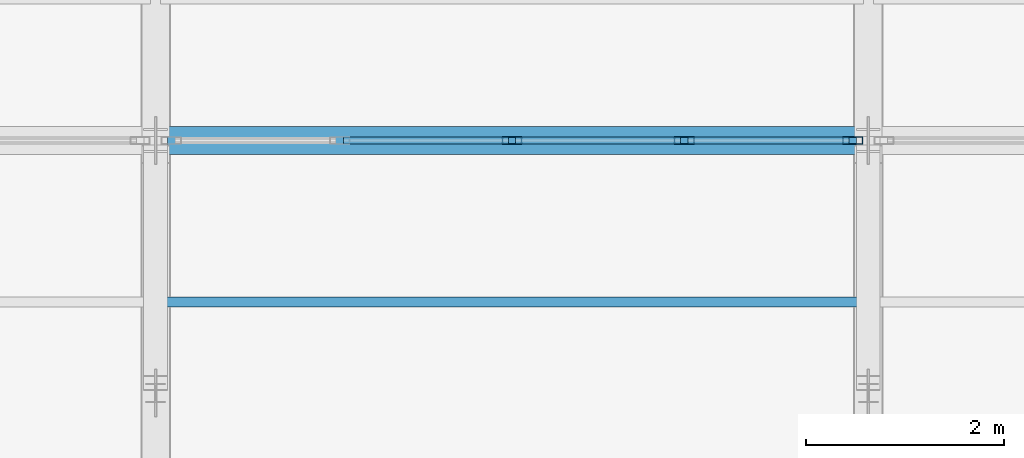
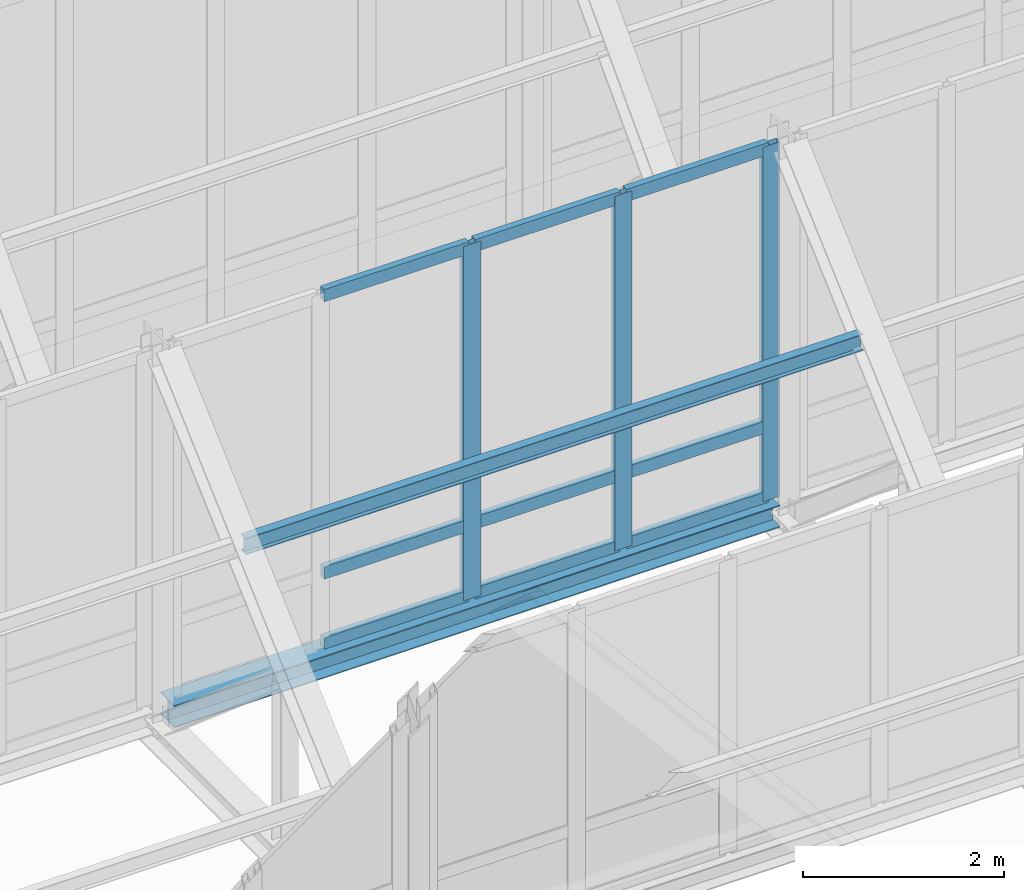
# One storey, part 46 of 157: 13 members, 1 beam, 1 element without a shape of its own.
"""IFC4 building model written with IfcOpenShell, lengths in metres."""

from ifc_helpers import new_model, si_unit, direction, frame, origin, origin_2d, place, context, subcontext, project, spatial, hollow_rectangle, i_section, extrude, material, material_profile, profile_set, type_object, element, aggregate, save


model = new_model("IFC4")

# Units and contexts
model_context = context("Model", 3, precision=1e-05, world=origin(), true_north=direction((0.0, 1.0)))
body_context = subcontext(model_context, "Body", "Model", "MODEL_VIEW")
ifc_project = project(units=[si_unit("LENGTHUNIT", "METRE"), si_unit("AREAUNIT", "SQUARE_METRE"), si_unit("VOLUMEUNIT", "CUBIC_METRE"), si_unit("PLANEANGLEUNIT", "RADIAN"), si_unit("MASSUNIT", "GRAM", prefix="KILO")], contexts=[model_context])

# Site, building, storey
site_placement = place(None, origin())
site = spatial("IfcSite", under=ifc_project, at=site_placement, CompositionType="ELEMENT")
building_placement = place(site_placement, origin())
building = spatial("IfcBuilding", under=site, at=building_placement, Name="Suanplinth Sawtooth Commons", CompositionType="ELEMENT")
storey_placement = place(building_placement, frame((0.0, 0.0, 9.0)))
storey = spatial("IfcBuildingStorey", under=building, at=storey_placement, Name="L02", CompositionType="ELEMENT", Elevation=9.0)

# Beam
ifc_material_1 = material(Name="Steel S355JR", Category="steel")
ifc_material_profile_1 = material_profile(ifc_material_1, i_section(OverallWidth=0.280029296875, OverallDepth=0.27001953125, WebThickness=0.008056640625, FlangeThickness=0.012939453125, at=origin_2d()), Name="HEA 280")
ifc_profile_set_1 = profile_set([ifc_material_profile_1], Name="Steel S355JR")
beam_type = type_object("IfcBeamType", Name="B-16", PredefinedType="USERDEFINED", material=ifc_profile_set_1)
beam_placement = place(storey_placement, frame((79.320068359375, 65.699951171875, 2.820068359375), z_axis=(1.0, 0.0, 0.0), x_axis=(0.0, 1.0, 0.0)))
element("IfcBeam", 1, at=beam_placement, inside=storey, type_object=beam_type, Name="Sawtooth Valley Girder T4-B3", ObjectType="GIRDER", PredefinedType="USERDEFINED", context=body_context, shape_type="SweptSolid", body=[
    extrude(i_section(OverallWidth=0.280029296875, OverallDepth=0.27001953125, WebThickness=0.008056640625, FlangeThickness=0.012939453125, at=origin_2d()), origin(), (0.0, 0.0, 1.0), 6.9599609375),
])

# Member
ifc_material_2 = material(Name="Steel SS400", Category="steel")
ifc_material_profile_2 = material_profile(ifc_material_2, i_section(OverallWidth=0.10009765625, OverallDepth=0.199951171875, WebThickness=0.005615234375, FlangeThickness=0.008544921875, at=origin_2d()), Name="IPE 200")
ifc_profile_set_2 = profile_set([ifc_material_profile_2], Name="Steel SS400")
member_type_1 = type_object("IfcMemberType", Name="M-06", PredefinedType="PURLIN", material=ifc_profile_set_2)
member_1_placement = place(storey_placement, frame((79.25, 64.068115234375, 5.84716796875), z_axis=(1.0, 0.0, 0.0), x_axis=(0.0, 1.0, 0.0)))
element("IfcMember", 2, at=member_1_placement, inside=storey, type_object=member_type_1, Name="Sawtooth Roof Purlin T3-B3-P2", PredefinedType="PURLIN", context=body_context, shape_type="SweptSolid", body=[
    extrude(i_section(OverallWidth=0.10009765625, OverallDepth=0.199951171875, WebThickness=0.005615234375, FlangeThickness=0.008544921875, at=origin_2d()), origin(), (0.0, 0.0, 1.0), 7.10009765625),
])

# Curtain wall, members
ifc_material_3 = material(Name="Anodized aluminium and low-E glazing", Category="aluminium")
curtain_wall_type = type_object("IfcCurtainWallType", Name="CW-03", PredefinedType="USERDEFINED", material=ifc_material_3)
curtain_wall_placement = place(storey_placement, origin())
curtain_wall = element("IfcCurtainWall", 3, at=curtain_wall_placement, inside=storey, type_object=curtain_wall_type, Name="Curtain Wall CW-SAW-T3-B3", ObjectType="CURTAIN WALL", PredefinedType="USERDEFINED")
ifc_material_4 = material(Name="Anodized aluminium 6063-T6", Category="aluminium")
ifc_material_profile_3 = material_profile(ifc_material_4, hollow_rectangle(XDim=0.074951171875, YDim=0.199951171875, WallThickness=0.0048828125, at=origin_2d()), Name="ALU-MUL 75x200")
ifc_profile_set_3 = profile_set([ifc_material_profile_3], Name="Anodized aluminium 6063-T6")
member_type_2 = type_object("IfcMemberType", Name="M-14", PredefinedType="MULLION", material=ifc_profile_set_3)
member_2_placement = place(storey_placement, frame((82.800048828125, 65.699951171875, 2.97998046875), z_axis=(0.0, 0.0, 1.0), x_axis=(0.0, 1.0, 0.0)))
member_2 = element("IfcMember", 4, at=member_2_placement, type_object=member_type_2, Name="CW-03 mullion 3", PredefinedType="MULLION", context=body_context, shape_type="SweptSolid", body=[
    extrude(hollow_rectangle(XDim=0.074951171875, YDim=0.199951171875, WallThickness=0.0048828125, at=origin_2d()), origin(), (0.0, 0.0, 1.0), 4.31005859375),
])
member_3_placement = place(storey_placement, frame((84.5400390625, 65.699951171875, 2.97998046875), z_axis=(0.0, 0.0, 1.0), x_axis=(0.0, 1.0, 0.0)))
member_3 = element("IfcMember", 5, at=member_3_placement, type_object=member_type_2, Name="CW-03 mullion 4", PredefinedType="MULLION", context=body_context, shape_type="SweptSolid", body=[
    extrude(hollow_rectangle(XDim=0.074951171875, YDim=0.199951171875, WallThickness=0.0048828125, at=origin_2d()), origin(), (0.0, 0.0, 1.0), 4.31005859375),
])
member_4_placement = place(storey_placement, frame((86.242431640625, 65.699951171875, 2.97998046875), z_axis=(0.0, 0.0, 1.0), x_axis=(0.0, 1.0, 0.0)))
member_4 = element("IfcMember", 6, at=member_4_placement, type_object=member_type_2, Name="CW-03 mullion 5", PredefinedType="MULLION", context=body_context, shape_type="SweptSolid", body=[
    extrude(hollow_rectangle(XDim=0.074951171875, YDim=0.199951171875, WallThickness=0.0048828125, at=origin_2d()), origin(), (0.0, 0.0, 1.0), 4.31005859375),
])
ifc_material_profile_4 = material_profile(ifc_material_4, hollow_rectangle(XDim=0.074951171875, YDim=0.14990234375, WallThickness=0.00439453125, at=origin_2d()), Name="ALU-TRN 75x150")
ifc_profile_set_4 = profile_set([ifc_material_profile_4], Name="Anodized aluminium 6063-T6")
member_type_3 = type_object("IfcMemberType", Name="M-16", PredefinedType="USERDEFINED", material=ifc_profile_set_4)
member_5_placement = place(storey_placement, frame((81.097412109375, 65.699951171875, 3.017578125), z_axis=(1.0, 0.0, 0.0), x_axis=(0.0, 1.0, 0.0)))
member_5 = element("IfcMember", 7, at=member_5_placement, type_object=member_type_3, Name="CW-03 transom 2.1", ObjectType="TRANSOM", PredefinedType="USERDEFINED", context=body_context, shape_type="SweptSolid", body=[
    extrude(hollow_rectangle(XDim=0.074951171875, YDim=0.14990234375, WallThickness=0.00439453125, at=origin_2d()), origin(), (0.0, 0.0, 1.0), 1.6650390625),
])
member_6_placement = place(storey_placement, frame((81.097412109375, 65.699951171875, 3.8798828125), z_axis=(1.0, 0.0, 0.0), x_axis=(0.0, 1.0, 0.0)))
member_6 = element("IfcMember", 8, at=member_6_placement, type_object=member_type_3, Name="CW-03 transom 2.2", ObjectType="TRANSOM", PredefinedType="USERDEFINED", context=body_context, shape_type="SweptSolid", body=[
    extrude(hollow_rectangle(XDim=0.074951171875, YDim=0.14990234375, WallThickness=0.00439453125, at=origin_2d()), origin(), (0.0, 0.0, 1.0), 1.6650390625),
])
member_7_placement = place(storey_placement, frame((81.097412109375, 65.699951171875, 7.25244140625), z_axis=(1.0, 0.0, 0.0), x_axis=(0.0, 1.0, 0.0)))
member_7 = element("IfcMember", 9, at=member_7_placement, type_object=member_type_3, Name="CW-03 transom 2.3", ObjectType="TRANSOM", PredefinedType="USERDEFINED", context=body_context, shape_type="SweptSolid", body=[
    extrude(hollow_rectangle(XDim=0.074951171875, YDim=0.14990234375, WallThickness=0.00439453125, at=origin_2d()), origin(), (0.0, 0.0, 1.0), 1.6650390625),
])
member_8_placement = place(storey_placement, frame((82.83740234375, 65.699951171875, 3.017578125), z_axis=(1.0, 0.0, 0.0), x_axis=(0.0, 1.0, 0.0)))
member_8 = element("IfcMember", 10, at=member_8_placement, type_object=member_type_3, Name="CW-03 transom 3.1", ObjectType="TRANSOM", PredefinedType="USERDEFINED", context=body_context, shape_type="SweptSolid", body=[
    extrude(hollow_rectangle(XDim=0.074951171875, YDim=0.14990234375, WallThickness=0.00439453125, at=origin_2d()), origin(), (0.0, 0.0, 1.0), 1.6650390625),
])
member_9_placement = place(storey_placement, frame((82.83740234375, 65.699951171875, 3.8798828125), z_axis=(1.0, 0.0, 0.0), x_axis=(0.0, 1.0, 0.0)))
member_9 = element("IfcMember", 11, at=member_9_placement, type_object=member_type_3, Name="CW-03 transom 3.2", ObjectType="TRANSOM", PredefinedType="USERDEFINED", context=body_context, shape_type="SweptSolid", body=[
    extrude(hollow_rectangle(XDim=0.074951171875, YDim=0.14990234375, WallThickness=0.00439453125, at=origin_2d()), origin(), (0.0, 0.0, 1.0), 1.6650390625),
])
member_10_placement = place(storey_placement, frame((82.83740234375, 65.699951171875, 7.25244140625), z_axis=(1.0, 0.0, 0.0), x_axis=(0.0, 1.0, 0.0)))
member_10 = element("IfcMember", 12, at=member_10_placement, type_object=member_type_3, Name="CW-03 transom 3.3", ObjectType="TRANSOM", PredefinedType="USERDEFINED", context=body_context, shape_type="SweptSolid", body=[
    extrude(hollow_rectangle(XDim=0.074951171875, YDim=0.14990234375, WallThickness=0.00439453125, at=origin_2d()), origin(), (0.0, 0.0, 1.0), 1.6650390625),
])
member_11_placement = place(storey_placement, frame((84.577392578125, 65.699951171875, 3.017578125), z_axis=(1.0, 0.0, 0.0), x_axis=(0.0, 1.0, 0.0)))
member_11 = element("IfcMember", 13, at=member_11_placement, type_object=member_type_3, Name="CW-03 transom 4.1", ObjectType="TRANSOM", PredefinedType="USERDEFINED", context=body_context, shape_type="SweptSolid", body=[
    extrude(hollow_rectangle(XDim=0.074951171875, YDim=0.14990234375, WallThickness=0.00439453125, at=origin_2d()), origin(), (0.0, 0.0, 1.0), 1.627685546875),
])
member_12_placement = place(storey_placement, frame((84.577392578125, 65.699951171875, 3.8798828125), z_axis=(1.0, 0.0, 0.0), x_axis=(0.0, 1.0, 0.0)))
member_12 = element("IfcMember", 14, at=member_12_placement, type_object=member_type_3, Name="CW-03 transom 4.2", ObjectType="TRANSOM", PredefinedType="USERDEFINED", context=body_context, shape_type="SweptSolid", body=[
    extrude(hollow_rectangle(XDim=0.074951171875, YDim=0.14990234375, WallThickness=0.00439453125, at=origin_2d()), origin(), (0.0, 0.0, 1.0), 1.627685546875),
])
member_13_placement = place(storey_placement, frame((84.577392578125, 65.699951171875, 7.25244140625), z_axis=(1.0, 0.0, 0.0), x_axis=(0.0, 1.0, 0.0)))
member_13 = element("IfcMember", 15, at=member_13_placement, type_object=member_type_3, Name="CW-03 transom 4.3", ObjectType="TRANSOM", PredefinedType="USERDEFINED", context=body_context, shape_type="SweptSolid", body=[
    extrude(hollow_rectangle(XDim=0.074951171875, YDim=0.14990234375, WallThickness=0.00439453125, at=origin_2d()), origin(), (0.0, 0.0, 1.0), 1.627685546875),
])
aggregate(curtain_wall, [member_2, member_3, member_4, member_5, member_6, member_7, member_8, member_9, member_10, member_11, member_12, member_13])

save(model, "model.ifc")
